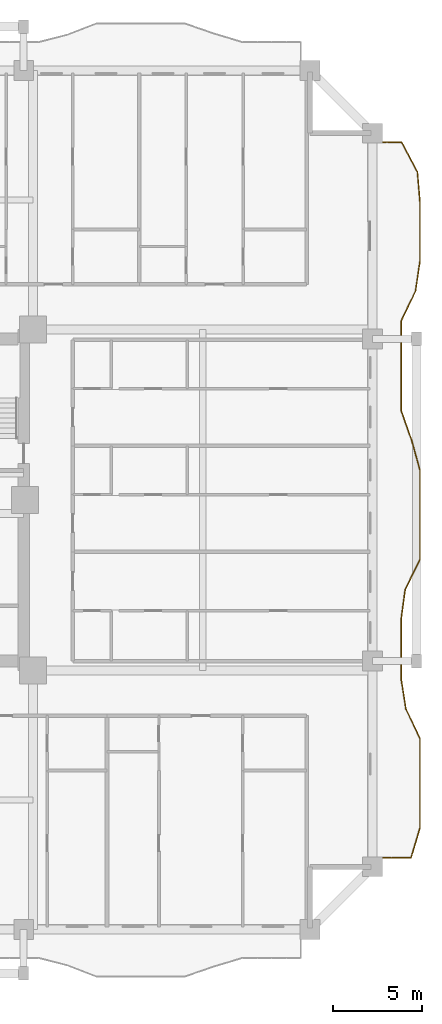
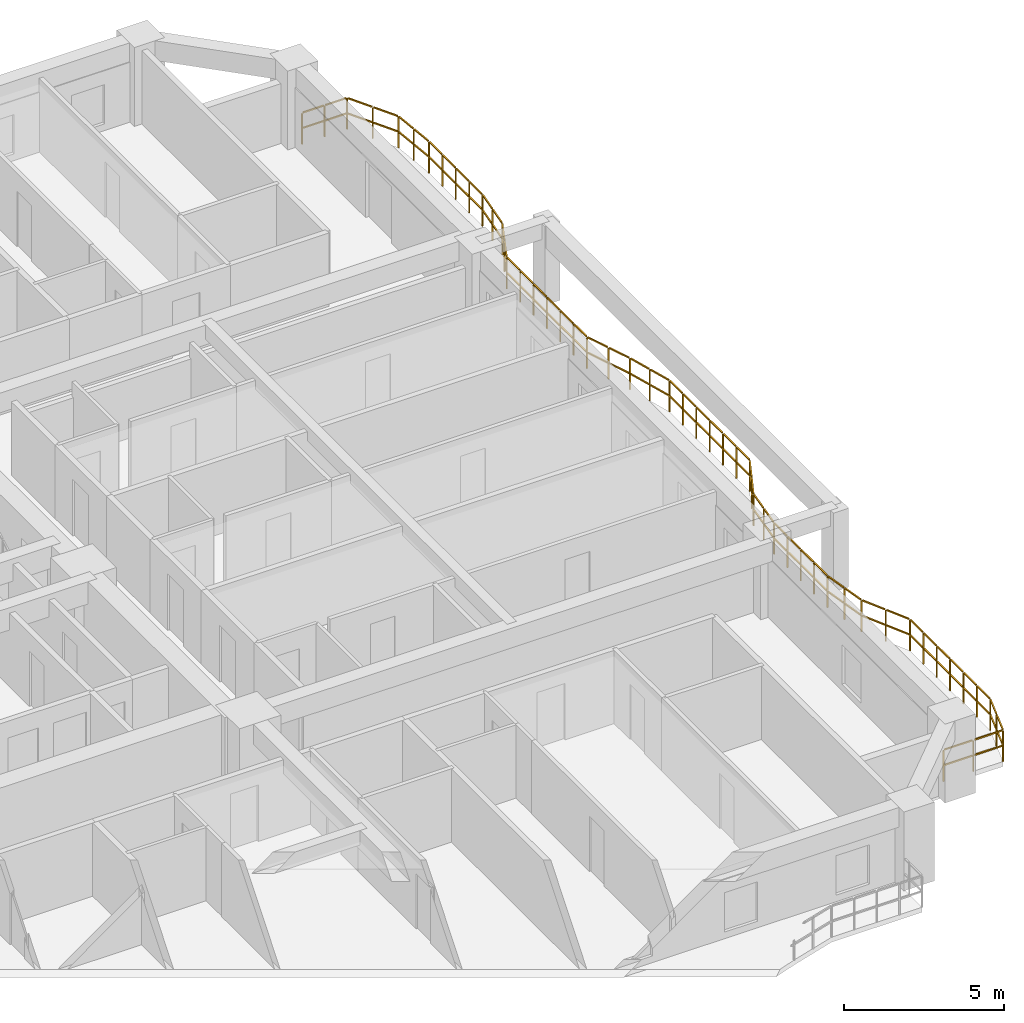
# One storey, part 16 of 18: 1 railing.
"""IFC4 building model written with IfcOpenShell, lengths in metres."""

from ifc_helpers import new_model, si_unit, direction, frame, origin, origin_2d, place, context, subcontext, project, spatial, rectangle, extrude, material, type_object, element, save


model = new_model("IFC4")

# Units and contexts
model_context = context("Model", 3, precision=1e-05, world=origin(), true_north=direction((0.0, 1.0)))
body_context = subcontext(model_context, "Body", "Model", "MODEL_VIEW")
ifc_project = project(units=[si_unit("LENGTHUNIT", "METRE"), si_unit("AREAUNIT", "SQUARE_METRE"), si_unit("VOLUMEUNIT", "CUBIC_METRE"), si_unit("PLANEANGLEUNIT", "RADIAN"), si_unit("MASSUNIT", "GRAM", prefix="KILO")], contexts=[model_context])

# Site, building, storey
site_placement = place(None, origin())
site = spatial("IfcSite", under=ifc_project, at=site_placement, CompositionType="ELEMENT")
building_placement = place(site_placement, origin())
building = spatial("IfcBuilding", under=site, at=building_placement, Name="Saelheon Loggia Tower", CompositionType="ELEMENT")
storey_placement = place(building_placement, frame((0.0, 0.0, 40.39990234375)))
storey = spatial("IfcBuildingStorey", under=building, at=storey_placement, Name="L12", CompositionType="ELEMENT", Elevation=40.39990234375)

# Railing
ifc_material = material(Name="Architectural Precast Concrete and Laminated Glass Guard", Category="concrete")
railing_type = type_object("IfcRailingType", Name="Guard_Loggia_RL_LOG", PredefinedType="BALUSTRADE", material=ifc_material)
railing_placement = place(storey_placement, frame((64.0, 7.0, 0.0)))
element("IfcRailing", 1, at=railing_placement, inside=storey, type_object=railing_type, Name="L12 East Loggia Balustrade", PredefinedType="BALUSTRADE", context=body_context, shape_type="SweptSolid", body=[
    extrude(rectangle(XDim=0.048095703125, YDim=0.048095703125, at=origin_2d()), frame((0.033203125, 0.0, 1.19580078125), z_axis=(1.0, 0.0, 0.0), x_axis=(0.0, 1.0, 0.0)), (0.0, 0.0, 1.0), 1.008544921875),
    extrude(rectangle(XDim=0.048095703125, YDim=0.048095703125, at=origin_2d()), frame((0.033203125, 0.0, 0.60986328125), z_axis=(1.0, 0.0, 0.0), x_axis=(0.0, 1.0, 0.0)), (0.0, 0.0, 1.0), 1.008544921875),
    extrude(rectangle(XDim=0.048095703125, YDim=0.048095703125, at=origin_2d()), frame((1.108154296875, 0.0, 1.19580078125), z_axis=(1.0, 0.0, 0.0), x_axis=(0.0, 1.0, 0.0)), (0.0, 0.0, 1.0), 1.008544921875),
    extrude(rectangle(XDim=0.048095703125, YDim=0.048095703125, at=origin_2d()), frame((1.108154296875, 0.0, 0.60986328125), z_axis=(1.0, 0.0, 0.0), x_axis=(0.0, 1.0, 0.0)), (0.0, 0.0, 1.0), 1.008544921875),
    extrude(rectangle(XDim=0.048095703125, YDim=0.048095703125, at=origin_2d()), frame((2.159423828125, 0.03173828125, 1.19580078125), z_axis=(0.287335013953, 0.957830146611, 0.0), x_axis=(-0.957830146611, 0.287335013953, 0.0)), (0.0, 0.0, 1.0), 0.8037109375),
    extrude(rectangle(XDim=0.048095703125, YDim=0.048095703125, at=origin_2d()), frame((2.159423828125, 0.03173828125, 0.60986328125), z_axis=(0.287335013953, 0.957830146611, 0.0), x_axis=(-0.957830146611, 0.287335013953, 0.0)), (0.0, 0.0, 1.0), 0.8037109375),
    extrude(rectangle(XDim=0.048095703125, YDim=0.048095703125, at=origin_2d()), frame((2.409423828125, 0.865234375, 1.19580078125), z_axis=(0.287335013953, 0.957830146611, 0.0), x_axis=(-0.957830146611, 0.287335013953, 0.0)), (0.0, 0.0, 1.0), 0.8037109375),
    extrude(rectangle(XDim=0.048095703125, YDim=0.048095703125, at=origin_2d()), frame((2.409423828125, 0.865234375, 0.60986328125), z_axis=(0.287335013953, 0.957830146611, 0.0), x_axis=(-0.957830146611, 0.287335013953, 0.0)), (0.0, 0.0, 1.0), 0.8037109375),
    extrude(rectangle(XDim=0.048095703125, YDim=0.048095703125, at=origin_2d()), frame((2.64990234375, 1.699951171875, 1.19580078125), z_axis=(0.0, 1.0, 0.0), x_axis=(-1.0, 0.0, 0.0)), (0.0, 0.0, 1.0), 0.766845703125),
    extrude(rectangle(XDim=0.048095703125, YDim=0.048095703125, at=origin_2d()), frame((2.64990234375, 1.699951171875, 0.60986328125), z_axis=(0.0, 1.0, 0.0), x_axis=(-1.0, 0.0, 0.0)), (0.0, 0.0, 1.0), 0.766845703125),
    extrude(rectangle(XDim=0.048095703125, YDim=0.048095703125, at=origin_2d()), frame((2.64990234375, 2.533203125, 1.19580078125), z_axis=(0.0, 1.0, 0.0), x_axis=(-1.0, 0.0, 0.0)), (0.0, 0.0, 1.0), 0.766845703125),
    extrude(rectangle(XDim=0.048095703125, YDim=0.048095703125, at=origin_2d()), frame((2.64990234375, 2.533203125, 0.60986328125), z_axis=(0.0, 1.0, 0.0), x_axis=(-1.0, 0.0, 0.0)), (0.0, 0.0, 1.0), 0.766845703125),
    extrude(rectangle(XDim=0.048095703125, YDim=0.048095703125, at=origin_2d()), frame((2.64990234375, 3.366455078125, 1.19580078125), z_axis=(0.0, 1.0, 0.0), x_axis=(-1.0, 0.0, 0.0)), (0.0, 0.0, 1.0), 0.766845703125),
    extrude(rectangle(XDim=0.048095703125, YDim=0.048095703125, at=origin_2d()), frame((2.64990234375, 3.366455078125, 0.60986328125), z_axis=(0.0, 1.0, 0.0), x_axis=(-1.0, 0.0, 0.0)), (0.0, 0.0, 1.0), 0.766845703125),
    extrude(rectangle(XDim=0.048095703125, YDim=0.048095703125, at=origin_2d()), frame((2.64990234375, 4.199951171875, 1.19580078125), z_axis=(0.0, 1.0, 0.0), x_axis=(-1.0, 0.0, 0.0)), (0.0, 0.0, 1.0), 0.766845703125),
    extrude(rectangle(XDim=0.048095703125, YDim=0.048095703125, at=origin_2d()), frame((2.64990234375, 4.199951171875, 0.60986328125), z_axis=(0.0, 1.0, 0.0), x_axis=(-1.0, 0.0, 0.0)), (0.0, 0.0, 1.0), 0.766845703125),
    extrude(rectangle(XDim=0.048095703125, YDim=0.048095703125, at=origin_2d()), frame((2.64990234375, 5.033203125, 1.19580078125), z_axis=(0.0, 1.0, 0.0), x_axis=(-1.0, 0.0, 0.0)), (0.0, 0.0, 1.0), 0.766845703125),
    extrude(rectangle(XDim=0.048095703125, YDim=0.048095703125, at=origin_2d()), frame((2.64990234375, 5.033203125, 0.60986328125), z_axis=(0.0, 1.0, 0.0), x_axis=(-1.0, 0.0, 0.0)), (0.0, 0.0, 1.0), 0.766845703125),
    extrude(rectangle(XDim=0.048095703125, YDim=0.048095703125, at=origin_2d()), frame((2.64990234375, 5.86669921875, 1.19580078125), z_axis=(0.0, 1.0, 0.0), x_axis=(-1.0, 0.0, 0.0)), (0.0, 0.0, 1.0), 0.766845703125),
    extrude(rectangle(XDim=0.048095703125, YDim=0.048095703125, at=origin_2d()), frame((2.64990234375, 5.86669921875, 0.60986328125), z_axis=(0.0, 1.0, 0.0), x_axis=(-1.0, 0.0, 0.0)), (0.0, 0.0, 1.0), 0.766845703125),
    extrude(rectangle(XDim=0.048095703125, YDim=0.048095703125, at=origin_2d()), frame((2.6357421875, 6.69677734375, 1.19580078125), z_axis=(-0.427289070921, 0.904115064509, 0.0), x_axis=(-0.904115064509, -0.427289070921, 0.0)), (0.0, 0.0, 1.0), 0.855224609375),
    extrude(rectangle(XDim=0.048095703125, YDim=0.048095703125, at=origin_2d()), frame((2.6357421875, 6.69677734375, 0.60986328125), z_axis=(-0.427289070921, 0.904115064509, 0.0), x_axis=(-0.904115064509, -0.427289070921, 0.0)), (0.0, 0.0, 1.0), 0.855224609375),
    extrude(rectangle(XDim=0.048095703125, YDim=0.048095703125, at=origin_2d()), frame((2.241943359375, 7.530029296875, 1.19580078125), z_axis=(-0.427289070921, 0.904115064509, 0.0), x_axis=(-0.904115064509, -0.427289070921, 0.0)), (0.0, 0.0, 1.0), 0.855224609375),
    extrude(rectangle(XDim=0.048095703125, YDim=0.048095703125, at=origin_2d()), frame((2.241943359375, 7.530029296875, 0.60986328125), z_axis=(-0.427289070921, 0.904115064509, 0.0), x_axis=(-0.904115064509, -0.427289070921, 0.0)), (0.0, 0.0, 1.0), 0.855224609375),
    extrude(rectangle(XDim=0.048095703125, YDim=0.048095703125, at=origin_2d()), frame((1.857177734375, 8.365966796875, 1.19580078125), z_axis=(-0.155405267193, 0.987850799933, 0.0), x_axis=(-0.987850799933, -0.155405267193, 0.0)), (0.0, 0.0, 1.0), 0.777099609375),
    extrude(rectangle(XDim=0.048095703125, YDim=0.048095703125, at=origin_2d()), frame((1.857177734375, 8.365966796875, 0.60986328125), z_axis=(-0.155405267193, 0.987850799933, 0.0), x_axis=(-0.987850799933, -0.155405267193, 0.0)), (0.0, 0.0, 1.0), 0.777099609375),
    extrude(rectangle(XDim=0.048095703125, YDim=0.048095703125, at=origin_2d()), frame((1.72607421875, 9.199462890625, 1.19580078125), z_axis=(-0.155405267193, 0.987850799933, 0.0), x_axis=(-0.987850799933, -0.155405267193, 0.0)), (0.0, 0.0, 1.0), 0.777099609375),
    extrude(rectangle(XDim=0.048095703125, YDim=0.048095703125, at=origin_2d()), frame((1.72607421875, 9.199462890625, 0.60986328125), z_axis=(-0.155405267193, 0.987850799933, 0.0), x_axis=(-0.987850799933, -0.155405267193, 0.0)), (0.0, 0.0, 1.0), 0.777099609375),
    extrude(rectangle(XDim=0.048095703125, YDim=0.048095703125, at=origin_2d()), frame((1.60009765625, 10.033203125, 1.19580078125), z_axis=(0.0, 1.0, 0.0), x_axis=(-1.0, 0.0, 0.0)), (0.0, 0.0, 1.0), 0.766845703125),
    extrude(rectangle(XDim=0.048095703125, YDim=0.048095703125, at=origin_2d()), frame((1.60009765625, 10.033203125, 0.60986328125), z_axis=(0.0, 1.0, 0.0), x_axis=(-1.0, 0.0, 0.0)), (0.0, 0.0, 1.0), 0.766845703125),
    extrude(rectangle(XDim=0.048095703125, YDim=0.048095703125, at=origin_2d()), frame((1.60009765625, 10.86669921875, 1.19580078125), z_axis=(0.0, 1.0, 0.0), x_axis=(-1.0, 0.0, 0.0)), (0.0, 0.0, 1.0), 0.766845703125),
    extrude(rectangle(XDim=0.048095703125, YDim=0.048095703125, at=origin_2d()), frame((1.60009765625, 10.86669921875, 0.60986328125), z_axis=(0.0, 1.0, 0.0), x_axis=(-1.0, 0.0, 0.0)), (0.0, 0.0, 1.0), 0.766845703125),
    extrude(rectangle(XDim=0.048095703125, YDim=0.048095703125, at=origin_2d()), frame((1.60009765625, 11.699951171875, 1.19580078125), z_axis=(0.0, 1.0, 0.0), x_axis=(-1.0, 0.0, 0.0)), (0.0, 0.0, 1.0), 0.766845703125),
    extrude(rectangle(XDim=0.048095703125, YDim=0.048095703125, at=origin_2d()), frame((1.60009765625, 11.699951171875, 0.60986328125), z_axis=(0.0, 1.0, 0.0), x_axis=(-1.0, 0.0, 0.0)), (0.0, 0.0, 1.0), 0.766845703125),
    extrude(rectangle(XDim=0.048095703125, YDim=0.048095703125, at=origin_2d()), frame((1.60009765625, 12.533203125, 1.19580078125), z_axis=(0.0, 1.0, 0.0), x_axis=(-1.0, 0.0, 0.0)), (0.0, 0.0, 1.0), 0.766845703125),
    extrude(rectangle(XDim=0.048095703125, YDim=0.048095703125, at=origin_2d()), frame((1.60009765625, 12.533203125, 0.60986328125), z_axis=(0.0, 1.0, 0.0), x_axis=(-1.0, 0.0, 0.0)), (0.0, 0.0, 1.0), 0.766845703125),
    extrude(rectangle(XDim=0.048095703125, YDim=0.048095703125, at=origin_2d()), frame((1.6044921875, 13.3662109375, 1.19580078125), z_axis=(0.134834696212, 0.99086810661, 0.0), x_axis=(-0.99086810661, 0.134834696212, 0.0)), (0.0, 0.0, 1.0), 0.774658203125),
    extrude(rectangle(XDim=0.048095703125, YDim=0.048095703125, at=origin_2d()), frame((1.6044921875, 13.3662109375, 0.60986328125), z_axis=(0.134834696212, 0.99086810661, 0.0), x_axis=(-0.99086810661, 0.134834696212, 0.0)), (0.0, 0.0, 1.0), 0.774658203125),
    extrude(rectangle(XDim=0.048095703125, YDim=0.048095703125, at=origin_2d()), frame((1.718017578125, 14.199462890625, 1.19580078125), z_axis=(0.134834696212, 0.99086810661, 0.0), x_axis=(-0.99086810661, 0.134834696212, 0.0)), (0.0, 0.0, 1.0), 0.774658203125),
    extrude(rectangle(XDim=0.048095703125, YDim=0.048095703125, at=origin_2d()), frame((1.718017578125, 14.199462890625, 0.60986328125), z_axis=(0.134834696212, 0.99086810661, 0.0), x_axis=(-0.99086810661, 0.134834696212, 0.0)), (0.0, 0.0, 1.0), 0.774658203125),
    extrude(rectangle(XDim=0.048095703125, YDim=0.048095703125, at=origin_2d()), frame((1.841552734375, 15.02978515625, 1.19580078125), z_axis=(0.442742508553, 0.896648800323, 0.0), x_axis=(-0.896648800323, 0.442742508553, 0.0)), (0.0, 0.0, 1.0), 0.863037109375),
    extrude(rectangle(XDim=0.048095703125, YDim=0.048095703125, at=origin_2d()), frame((1.841552734375, 15.02978515625, 0.60986328125), z_axis=(0.442742508553, 0.896648800323, 0.0), x_axis=(-0.896648800323, 0.442742508553, 0.0)), (0.0, 0.0, 1.0), 0.863037109375),
    extrude(rectangle(XDim=0.048095703125, YDim=0.048095703125, at=origin_2d()), frame((2.253173828125, 15.86328125, 1.19580078125), z_axis=(0.442742508553, 0.896648800323, 0.0), x_axis=(-0.896648800323, 0.442742508553, 0.0)), (0.0, 0.0, 1.0), 0.863037109375),
    extrude(rectangle(XDim=0.048095703125, YDim=0.048095703125, at=origin_2d()), frame((2.253173828125, 15.86328125, 0.60986328125), z_axis=(0.442742508553, 0.896648800323, 0.0), x_axis=(-0.896648800323, 0.442742508553, 0.0)), (0.0, 0.0, 1.0), 0.863037109375),
    extrude(rectangle(XDim=0.048095703125, YDim=0.048095703125, at=origin_2d()), frame((2.64990234375, 16.699951171875, 1.19580078125), z_axis=(0.0, 1.0, 0.0), x_axis=(-1.0, 0.0, 0.0)), (0.0, 0.0, 1.0), 0.766845703125),
    extrude(rectangle(XDim=0.048095703125, YDim=0.048095703125, at=origin_2d()), frame((2.64990234375, 16.699951171875, 0.60986328125), z_axis=(0.0, 1.0, 0.0), x_axis=(-1.0, 0.0, 0.0)), (0.0, 0.0, 1.0), 0.766845703125),
    extrude(rectangle(XDim=0.048095703125, YDim=0.048095703125, at=origin_2d()), frame((2.64990234375, 17.533203125, 1.19580078125), z_axis=(0.0, 1.0, 0.0), x_axis=(-1.0, 0.0, 0.0)), (0.0, 0.0, 1.0), 0.766845703125),
    extrude(rectangle(XDim=0.048095703125, YDim=0.048095703125, at=origin_2d()), frame((2.64990234375, 17.533203125, 0.60986328125), z_axis=(0.0, 1.0, 0.0), x_axis=(-1.0, 0.0, 0.0)), (0.0, 0.0, 1.0), 0.766845703125),
    extrude(rectangle(XDim=0.048095703125, YDim=0.048095703125, at=origin_2d()), frame((2.64990234375, 18.366455078125, 1.19580078125), z_axis=(0.0, 1.0, 0.0), x_axis=(-1.0, 0.0, 0.0)), (0.0, 0.0, 1.0), 0.766845703125),
    extrude(rectangle(XDim=0.048095703125, YDim=0.048095703125, at=origin_2d()), frame((2.64990234375, 18.366455078125, 0.60986328125), z_axis=(0.0, 1.0, 0.0), x_axis=(-1.0, 0.0, 0.0)), (0.0, 0.0, 1.0), 0.766845703125),
    extrude(rectangle(XDim=0.048095703125, YDim=0.048095703125, at=origin_2d()), frame((2.64990234375, 19.199951171875, 1.19580078125), z_axis=(0.0, 1.0, 0.0), x_axis=(-1.0, 0.0, 0.0)), (0.0, 0.0, 1.0), 0.766845703125),
    extrude(rectangle(XDim=0.048095703125, YDim=0.048095703125, at=origin_2d()), frame((2.64990234375, 19.199951171875, 0.60986328125), z_axis=(0.0, 1.0, 0.0), x_axis=(-1.0, 0.0, 0.0)), (0.0, 0.0, 1.0), 0.766845703125),
    extrude(rectangle(XDim=0.048095703125, YDim=0.048095703125, at=origin_2d()), frame((2.64990234375, 20.033203125, 1.19580078125), z_axis=(0.0, 1.0, 0.0), x_axis=(-1.0, 0.0, 0.0)), (0.0, 0.0, 1.0), 0.766845703125),
    extrude(rectangle(XDim=0.048095703125, YDim=0.048095703125, at=origin_2d()), frame((2.64990234375, 20.033203125, 0.60986328125), z_axis=(0.0, 1.0, 0.0), x_axis=(-1.0, 0.0, 0.0)), (0.0, 0.0, 1.0), 0.766845703125),
    extrude(rectangle(XDim=0.048095703125, YDim=0.048095703125, at=origin_2d()), frame((2.64990234375, 20.86669921875, 1.19580078125), z_axis=(0.0, 1.0, 0.0), x_axis=(-1.0, 0.0, 0.0)), (0.0, 0.0, 1.0), 0.766845703125),
    extrude(rectangle(XDim=0.048095703125, YDim=0.048095703125, at=origin_2d()), frame((2.64990234375, 20.86669921875, 0.60986328125), z_axis=(0.0, 1.0, 0.0), x_axis=(-1.0, 0.0, 0.0)), (0.0, 0.0, 1.0), 0.766845703125),
    extrude(rectangle(XDim=0.048095703125, YDim=0.048095703125, at=origin_2d()), frame((2.64111328125, 21.69873046875, 1.19580078125), z_axis=(-0.268022369816, 0.963412688975, 0.0), x_axis=(-0.963412688975, -0.268022369816, 0.0)), (0.0, 0.0, 1.0), 0.79833984375),
    extrude(rectangle(XDim=0.048095703125, YDim=0.048095703125, at=origin_2d()), frame((2.64111328125, 21.69873046875, 0.60986328125), z_axis=(-0.268022369816, 0.963412688975, 0.0), x_axis=(-0.963412688975, -0.268022369816, 0.0)), (0.0, 0.0, 1.0), 0.79833984375),
    extrude(rectangle(XDim=0.048095703125, YDim=0.048095703125, at=origin_2d()), frame((2.4091796875, 22.531982421875, 1.19580078125), z_axis=(-0.268022369816, 0.963412688975, 0.0), x_axis=(-0.963412688975, -0.268022369816, 0.0)), (0.0, 0.0, 1.0), 0.79833984375),
    extrude(rectangle(XDim=0.048095703125, YDim=0.048095703125, at=origin_2d()), frame((2.4091796875, 22.531982421875, 0.60986328125), z_axis=(-0.268022369816, 0.963412688975, 0.0), x_axis=(-0.963412688975, -0.268022369816, 0.0)), (0.0, 0.0, 1.0), 0.79833984375),
    extrude(rectangle(XDim=0.048095703125, YDim=0.048095703125, at=origin_2d()), frame((2.17529296875, 23.364501953125, 1.19580078125), z_axis=(-0.331771864705, 0.943359650287, 0.0), x_axis=(-0.943359650287, -0.331771864705, 0.0)), (0.0, 0.0, 1.0), 0.81689453125),
    extrude(rectangle(XDim=0.048095703125, YDim=0.048095703125, at=origin_2d()), frame((2.17529296875, 23.364501953125, 0.60986328125), z_axis=(-0.331771864705, 0.943359650287, 0.0), x_axis=(-0.943359650287, -0.331771864705, 0.0)), (0.0, 0.0, 1.0), 0.81689453125),
    extrude(rectangle(XDim=0.048095703125, YDim=0.048095703125, at=origin_2d()), frame((1.882080078125, 24.197998046875, 1.19580078125), z_axis=(-0.331771864705, 0.943359650287, 0.0), x_axis=(-0.943359650287, -0.331771864705, 0.0)), (0.0, 0.0, 1.0), 0.81689453125),
    extrude(rectangle(XDim=0.048095703125, YDim=0.048095703125, at=origin_2d()), frame((1.882080078125, 24.197998046875, 0.60986328125), z_axis=(-0.331771864705, 0.943359650287, 0.0), x_axis=(-0.943359650287, -0.331771864705, 0.0)), (0.0, 0.0, 1.0), 0.81689453125),
    extrude(rectangle(XDim=0.048095703125, YDim=0.048095703125, at=origin_2d()), frame((1.60009765625, 25.033203125, 1.19580078125), z_axis=(0.0, 1.0, 0.0), x_axis=(-1.0, 0.0, 0.0)), (0.0, 0.0, 1.0), 0.766845703125),
    extrude(rectangle(XDim=0.048095703125, YDim=0.048095703125, at=origin_2d()), frame((1.60009765625, 25.033203125, 0.60986328125), z_axis=(0.0, 1.0, 0.0), x_axis=(-1.0, 0.0, 0.0)), (0.0, 0.0, 1.0), 0.766845703125),
    extrude(rectangle(XDim=0.048095703125, YDim=0.048095703125, at=origin_2d()), frame((1.60009765625, 25.86669921875, 1.19580078125), z_axis=(0.0, 1.0, 0.0), x_axis=(-1.0, 0.0, 0.0)), (0.0, 0.0, 1.0), 0.766845703125),
    extrude(rectangle(XDim=0.048095703125, YDim=0.048095703125, at=origin_2d()), frame((1.60009765625, 25.86669921875, 0.60986328125), z_axis=(0.0, 1.0, 0.0), x_axis=(-1.0, 0.0, 0.0)), (0.0, 0.0, 1.0), 0.766845703125),
    extrude(rectangle(XDim=0.048095703125, YDim=0.048095703125, at=origin_2d()), frame((1.60009765625, 26.699951171875, 1.19580078125), z_axis=(0.0, 1.0, 0.0), x_axis=(-1.0, 0.0, 0.0)), (0.0, 0.0, 1.0), 0.766845703125),
    extrude(rectangle(XDim=0.048095703125, YDim=0.048095703125, at=origin_2d()), frame((1.60009765625, 26.699951171875, 0.60986328125), z_axis=(0.0, 1.0, 0.0), x_axis=(-1.0, 0.0, 0.0)), (0.0, 0.0, 1.0), 0.766845703125),
    extrude(rectangle(XDim=0.048095703125, YDim=0.048095703125, at=origin_2d()), frame((1.60009765625, 27.533203125, 1.19580078125), z_axis=(0.0, 1.0, 0.0), x_axis=(-1.0, 0.0, 0.0)), (0.0, 0.0, 1.0), 0.766845703125),
    extrude(rectangle(XDim=0.048095703125, YDim=0.048095703125, at=origin_2d()), frame((1.60009765625, 27.533203125, 0.60986328125), z_axis=(0.0, 1.0, 0.0), x_axis=(-1.0, 0.0, 0.0)), (0.0, 0.0, 1.0), 0.766845703125),
    extrude(rectangle(XDim=0.048095703125, YDim=0.048095703125, at=origin_2d()), frame((1.60009765625, 28.366455078125, 1.19580078125), z_axis=(0.0, 1.0, 0.0), x_axis=(-1.0, 0.0, 0.0)), (0.0, 0.0, 1.0), 0.766845703125),
    extrude(rectangle(XDim=0.048095703125, YDim=0.048095703125, at=origin_2d()), frame((1.60009765625, 28.366455078125, 0.60986328125), z_axis=(0.0, 1.0, 0.0), x_axis=(-1.0, 0.0, 0.0)), (0.0, 0.0, 1.0), 0.766845703125),
    extrude(rectangle(XDim=0.048095703125, YDim=0.048095703125, at=origin_2d()), frame((1.60009765625, 29.199951171875, 1.19580078125), z_axis=(0.0, 1.0, 0.0), x_axis=(-1.0, 0.0, 0.0)), (0.0, 0.0, 1.0), 0.766845703125),
    extrude(rectangle(XDim=0.048095703125, YDim=0.048095703125, at=origin_2d()), frame((1.60009765625, 29.199951171875, 0.60986328125), z_axis=(0.0, 1.0, 0.0), x_axis=(-1.0, 0.0, 0.0)), (0.0, 0.0, 1.0), 0.766845703125),
    extrude(rectangle(XDim=0.048095703125, YDim=0.048095703125, at=origin_2d()), frame((1.614501953125, 30.030029296875, 1.19580078125), z_axis=(0.433700533123, 0.901057072315, 0.0), x_axis=(-0.901057072315, 0.433700533123, 0.0)), (0.0, 0.0, 1.0), 0.8583984375),
    extrude(rectangle(XDim=0.048095703125, YDim=0.048095703125, at=origin_2d()), frame((1.614501953125, 30.030029296875, 0.60986328125), z_axis=(0.433700533123, 0.901057072315, 0.0), x_axis=(-0.901057072315, 0.433700533123, 0.0)), (0.0, 0.0, 1.0), 0.8583984375),
    extrude(rectangle(XDim=0.048095703125, YDim=0.048095703125, at=origin_2d()), frame((2.015625, 30.86328125, 1.19580078125), z_axis=(0.433700533123, 0.901057072315, 0.0), x_axis=(-0.901057072315, 0.433700533123, 0.0)), (0.0, 0.0, 1.0), 0.8583984375),
    extrude(rectangle(XDim=0.048095703125, YDim=0.048095703125, at=origin_2d()), frame((2.015625, 30.86328125, 0.60986328125), z_axis=(0.433700533123, 0.901057072315, 0.0), x_axis=(-0.901057072315, 0.433700533123, 0.0)), (0.0, 0.0, 1.0), 0.8583984375),
    extrude(rectangle(XDim=0.048095703125, YDim=0.048095703125, at=origin_2d()), frame((2.4072265625, 31.69970703125, 1.19580078125), z_axis=(0.146937277025, 0.989145811607, 0.0), x_axis=(-0.989145811607, 0.146937277025, 0.0)), (0.0, 0.0, 1.0), 0.77587890625),
    extrude(rectangle(XDim=0.048095703125, YDim=0.048095703125, at=origin_2d()), frame((2.4072265625, 31.69970703125, 0.60986328125), z_axis=(0.146937277025, 0.989145811607, 0.0), x_axis=(-0.989145811607, 0.146937277025, 0.0)), (0.0, 0.0, 1.0), 0.77587890625),
    extrude(rectangle(XDim=0.048095703125, YDim=0.048095703125, at=origin_2d()), frame((2.531005859375, 32.532958984375, 1.19580078125), z_axis=(0.146937277025, 0.989145811607, 0.0), x_axis=(-0.989145811607, 0.146937277025, 0.0)), (0.0, 0.0, 1.0), 0.77587890625),
    extrude(rectangle(XDim=0.048095703125, YDim=0.048095703125, at=origin_2d()), frame((2.531005859375, 32.532958984375, 0.60986328125), z_axis=(0.146937277025, 0.989145811607, 0.0), x_axis=(-0.989145811607, 0.146937277025, 0.0)), (0.0, 0.0, 1.0), 0.77587890625),
    extrude(rectangle(XDim=0.048095703125, YDim=0.048095703125, at=origin_2d()), frame((2.64990234375, 33.366455078125, 1.19580078125), z_axis=(0.0, 1.0, 0.0), x_axis=(-1.0, 0.0, 0.0)), (0.0, 0.0, 1.0), 0.766845703125),
    extrude(rectangle(XDim=0.048095703125, YDim=0.048095703125, at=origin_2d()), frame((2.64990234375, 33.366455078125, 0.60986328125), z_axis=(0.0, 1.0, 0.0), x_axis=(-1.0, 0.0, 0.0)), (0.0, 0.0, 1.0), 0.766845703125),
    extrude(rectangle(XDim=0.048095703125, YDim=0.048095703125, at=origin_2d()), frame((2.64990234375, 34.199951171875, 1.19580078125), z_axis=(0.0, 1.0, 0.0), x_axis=(-1.0, 0.0, 0.0)), (0.0, 0.0, 1.0), 0.766845703125),
    extrude(rectangle(XDim=0.048095703125, YDim=0.048095703125, at=origin_2d()), frame((2.64990234375, 34.199951171875, 0.60986328125), z_axis=(0.0, 1.0, 0.0), x_axis=(-1.0, 0.0, 0.0)), (0.0, 0.0, 1.0), 0.766845703125),
    extrude(rectangle(XDim=0.048095703125, YDim=0.048095703125, at=origin_2d()), frame((2.64990234375, 35.033203125, 1.19580078125), z_axis=(0.0, 1.0, 0.0), x_axis=(-1.0, 0.0, 0.0)), (0.0, 0.0, 1.0), 0.766845703125),
    extrude(rectangle(XDim=0.048095703125, YDim=0.048095703125, at=origin_2d()), frame((2.64990234375, 35.033203125, 0.60986328125), z_axis=(0.0, 1.0, 0.0), x_axis=(-1.0, 0.0, 0.0)), (0.0, 0.0, 1.0), 0.766845703125),
    extrude(rectangle(XDim=0.048095703125, YDim=0.048095703125, at=origin_2d()), frame((2.64990234375, 35.86669921875, 1.19580078125), z_axis=(0.0, 1.0, 0.0), x_axis=(-1.0, 0.0, 0.0)), (0.0, 0.0, 1.0), 0.766845703125),
    extrude(rectangle(XDim=0.048095703125, YDim=0.048095703125, at=origin_2d()), frame((2.64990234375, 35.86669921875, 0.60986328125), z_axis=(0.0, 1.0, 0.0), x_axis=(-1.0, 0.0, 0.0)), (0.0, 0.0, 1.0), 0.766845703125),
    extrude(rectangle(XDim=0.048095703125, YDim=0.048095703125, at=origin_2d()), frame((2.64697265625, 36.699951171875, 1.19580078125), z_axis=(-0.084664157025, 0.996409544573, 0.0), x_axis=(-0.996409544573, -0.084664157025, 0.0)), (0.0, 0.0, 1.0), 0.769775390625),
    extrude(rectangle(XDim=0.048095703125, YDim=0.048095703125, at=origin_2d()), frame((2.64697265625, 36.699951171875, 0.60986328125), z_axis=(-0.084664157025, 0.996409544573, 0.0), x_axis=(-0.996409544573, -0.084664157025, 0.0)), (0.0, 0.0, 1.0), 0.769775390625),
    extrude(rectangle(XDim=0.048095703125, YDim=0.048095703125, at=origin_2d()), frame((2.576171875, 37.533203125, 1.19580078125), z_axis=(-0.084664157025, 0.996409544573, 0.0), x_axis=(-0.996409544573, -0.084664157025, 0.0)), (0.0, 0.0, 1.0), 0.769775390625),
    extrude(rectangle(XDim=0.048095703125, YDim=0.048095703125, at=origin_2d()), frame((2.576171875, 37.533203125, 0.60986328125), z_axis=(-0.084664157025, 0.996409544573, 0.0), x_axis=(-0.996409544573, -0.084664157025, 0.0)), (0.0, 0.0, 1.0), 0.769775390625),
    extrude(rectangle(XDim=0.048095703125, YDim=0.048095703125, at=origin_2d()), frame((2.49267578125, 38.362548828125, 1.19580078125), z_axis=(-0.469977451422, 0.882678421145, 0.0), x_axis=(-0.882678421145, -0.469977451422, 0.0)), (0.0, 0.0, 1.0), 0.877685546875),
    extrude(rectangle(XDim=0.048095703125, YDim=0.048095703125, at=origin_2d()), frame((2.49267578125, 38.362548828125, 0.60986328125), z_axis=(-0.469977451422, 0.882678421145, 0.0), x_axis=(-0.882678421145, -0.469977451422, 0.0)), (0.0, 0.0, 1.0), 0.877685546875),
    extrude(rectangle(XDim=0.048095703125, YDim=0.048095703125, at=origin_2d()), frame((2.049072265625, 39.196044921875, 1.19580078125), z_axis=(-0.469977451422, 0.882678421145, 0.0), x_axis=(-0.882678421145, -0.469977451422, 0.0)), (0.0, 0.0, 1.0), 0.877685546875),
    extrude(rectangle(XDim=0.048095703125, YDim=0.048095703125, at=origin_2d()), frame((2.049072265625, 39.196044921875, 0.60986328125), z_axis=(-0.469977451422, 0.882678421145, 0.0), x_axis=(-0.882678421145, -0.469977451422, 0.0)), (0.0, 0.0, 1.0), 0.877685546875),
    extrude(rectangle(XDim=0.048095703125, YDim=0.048095703125, at=origin_2d()), frame((1.587646484375, 40.0, 1.19580078125), z_axis=(-1.0, 0.0, 0.0), x_axis=(0.0, -1.0, 0.0)), (0.0, 0.0, 1.0), 0.743896484375),
    extrude(rectangle(XDim=0.048095703125, YDim=0.048095703125, at=origin_2d()), frame((1.587646484375, 40.0, 0.60986328125), z_axis=(-1.0, 0.0, 0.0), x_axis=(0.0, -1.0, 0.0)), (0.0, 0.0, 1.0), 0.743896484375),
    extrude(rectangle(XDim=0.048095703125, YDim=0.048095703125, at=origin_2d()), frame((0.777099609375, 40.0, 1.19580078125), z_axis=(-1.0, 0.0, 0.0), x_axis=(0.0, -1.0, 0.0)), (0.0, 0.0, 1.0), 0.743896484375),
    extrude(rectangle(XDim=0.048095703125, YDim=0.048095703125, at=origin_2d()), frame((0.777099609375, 40.0, 0.60986328125), z_axis=(-1.0, 0.0, 0.0), x_axis=(0.0, -1.0, 0.0)), (0.0, 0.0, 1.0), 0.743896484375),
    extrude(rectangle(XDim=0.0419921875, YDim=0.0419921875, at=origin_2d()), origin(), (0.0, 0.0, 1.0), 1.16796875),
    extrude(rectangle(XDim=0.0419921875, YDim=0.0419921875, at=origin_2d()), frame((1.074951171875, 0.0, 0.0)), (0.0, 0.0, 1.0), 1.16796875),
    extrude(rectangle(XDim=0.0419921875, YDim=0.0419921875, at=origin_2d()), frame((2.14990234375, 0.0, 0.0)), (0.0, 0.0, 1.0), 1.16796875),
    extrude(rectangle(XDim=0.0419921875, YDim=0.0419921875, at=origin_2d()), frame((2.39990234375, 0.83349609375, 0.0)), (0.0, 0.0, 1.0), 1.16796875),
    extrude(rectangle(XDim=0.0419921875, YDim=0.0419921875, at=origin_2d()), frame((2.64990234375, 1.666748046875, 0.0)), (0.0, 0.0, 1.0), 1.16796875),
    extrude(rectangle(XDim=0.0419921875, YDim=0.0419921875, at=origin_2d()), frame((2.64990234375, 2.5, 0.0)), (0.0, 0.0, 1.0), 1.16796875),
    extrude(rectangle(XDim=0.0419921875, YDim=0.0419921875, at=origin_2d()), frame((2.64990234375, 3.333251953125, 0.0)), (0.0, 0.0, 1.0), 1.16796875),
    extrude(rectangle(XDim=0.0419921875, YDim=0.0419921875, at=origin_2d()), frame((2.64990234375, 4.16650390625, 0.0)), (0.0, 0.0, 1.0), 1.16796875),
    extrude(rectangle(XDim=0.0419921875, YDim=0.0419921875, at=origin_2d()), frame((2.64990234375, 5.0, 0.0)), (0.0, 0.0, 1.0), 1.16796875),
    extrude(rectangle(XDim=0.0419921875, YDim=0.0419921875, at=origin_2d()), frame((2.64990234375, 5.83349609375, 0.0)), (0.0, 0.0, 1.0), 1.16796875),
    extrude(rectangle(XDim=0.0419921875, YDim=0.0419921875, at=origin_2d()), frame((2.64990234375, 6.666748046875, 0.0)), (0.0, 0.0, 1.0), 1.16796875),
    extrude(rectangle(XDim=0.0419921875, YDim=0.0419921875, at=origin_2d()), frame((2.256103515625, 7.5, 0.0)), (0.0, 0.0, 1.0), 1.16796875),
    extrude(rectangle(XDim=0.0419921875, YDim=0.0419921875, at=origin_2d()), frame((1.8623046875, 8.333251953125, 0.0)), (0.0, 0.0, 1.0), 1.16796875),
    extrude(rectangle(XDim=0.0419921875, YDim=0.0419921875, at=origin_2d()), frame((1.731201171875, 9.16650390625, 0.0)), (0.0, 0.0, 1.0), 1.16796875),
    extrude(rectangle(XDim=0.0419921875, YDim=0.0419921875, at=origin_2d()), frame((1.60009765625, 10.0, 0.0)), (0.0, 0.0, 1.0), 1.16796875),
    extrude(rectangle(XDim=0.0419921875, YDim=0.0419921875, at=origin_2d()), frame((1.60009765625, 10.83349609375, 0.0)), (0.0, 0.0, 1.0), 1.16796875),
    extrude(rectangle(XDim=0.0419921875, YDim=0.0419921875, at=origin_2d()), frame((1.60009765625, 11.666748046875, 0.0)), (0.0, 0.0, 1.0), 1.16796875),
    extrude(rectangle(XDim=0.0419921875, YDim=0.0419921875, at=origin_2d()), frame((1.60009765625, 12.5, 0.0)), (0.0, 0.0, 1.0), 1.16796875),
    extrude(rectangle(XDim=0.0419921875, YDim=0.0419921875, at=origin_2d()), frame((1.60009765625, 13.333251953125, 0.0)), (0.0, 0.0, 1.0), 1.16796875),
    extrude(rectangle(XDim=0.0419921875, YDim=0.0419921875, at=origin_2d()), frame((1.71337890625, 14.16650390625, 0.0)), (0.0, 0.0, 1.0), 1.16796875),
    extrude(rectangle(XDim=0.0419921875, YDim=0.0419921875, at=origin_2d()), frame((1.826904296875, 15.0, 0.0)), (0.0, 0.0, 1.0), 1.16796875),
    extrude(rectangle(XDim=0.0419921875, YDim=0.0419921875, at=origin_2d()), frame((2.23828125, 15.83349609375, 0.0)), (0.0, 0.0, 1.0), 1.16796875),
    extrude(rectangle(XDim=0.0419921875, YDim=0.0419921875, at=origin_2d()), frame((2.64990234375, 16.666748046875, 0.0)), (0.0, 0.0, 1.0), 1.16796875),
    extrude(rectangle(XDim=0.0419921875, YDim=0.0419921875, at=origin_2d()), frame((2.64990234375, 17.5, 0.0)), (0.0, 0.0, 1.0), 1.16796875),
    extrude(rectangle(XDim=0.0419921875, YDim=0.0419921875, at=origin_2d()), frame((2.64990234375, 18.333251953125, 0.0)), (0.0, 0.0, 1.0), 1.16796875),
    extrude(rectangle(XDim=0.0419921875, YDim=0.0419921875, at=origin_2d()), frame((2.64990234375, 19.16650390625, 0.0)), (0.0, 0.0, 1.0), 1.16796875),
    extrude(rectangle(XDim=0.0419921875, YDim=0.0419921875, at=origin_2d()), frame((2.64990234375, 20.0, 0.0)), (0.0, 0.0, 1.0), 1.16796875),
    extrude(rectangle(XDim=0.0419921875, YDim=0.0419921875, at=origin_2d()), frame((2.64990234375, 20.83349609375, 0.0)), (0.0, 0.0, 1.0), 1.16796875),
    extrude(rectangle(XDim=0.0419921875, YDim=0.0419921875, at=origin_2d()), frame((2.64990234375, 21.666748046875, 0.0)), (0.0, 0.0, 1.0), 1.16796875),
    extrude(rectangle(XDim=0.0419921875, YDim=0.0419921875, at=origin_2d()), frame((2.41796875, 22.5, 0.0)), (0.0, 0.0, 1.0), 1.16796875),
    extrude(rectangle(XDim=0.0419921875, YDim=0.0419921875, at=origin_2d()), frame((2.186279296875, 23.333251953125, 0.0)), (0.0, 0.0, 1.0), 1.16796875),
    extrude(rectangle(XDim=0.0419921875, YDim=0.0419921875, at=origin_2d()), frame((1.89306640625, 24.16650390625, 0.0)), (0.0, 0.0, 1.0), 1.16796875),
    extrude(rectangle(XDim=0.0419921875, YDim=0.0419921875, at=origin_2d()), frame((1.60009765625, 25.0, 0.0)), (0.0, 0.0, 1.0), 1.16796875),
    extrude(rectangle(XDim=0.0419921875, YDim=0.0419921875, at=origin_2d()), frame((1.60009765625, 25.83349609375, 0.0)), (0.0, 0.0, 1.0), 1.16796875),
    extrude(rectangle(XDim=0.0419921875, YDim=0.0419921875, at=origin_2d()), frame((1.60009765625, 26.666748046875, 0.0)), (0.0, 0.0, 1.0), 1.16796875),
    extrude(rectangle(XDim=0.0419921875, YDim=0.0419921875, at=origin_2d()), frame((1.60009765625, 27.5, 0.0)), (0.0, 0.0, 1.0), 1.16796875),
    extrude(rectangle(XDim=0.0419921875, YDim=0.0419921875, at=origin_2d()), frame((1.60009765625, 28.333251953125, 0.0)), (0.0, 0.0, 1.0), 1.16796875),
    extrude(rectangle(XDim=0.0419921875, YDim=0.0419921875, at=origin_2d()), frame((1.60009765625, 29.16650390625, 0.0)), (0.0, 0.0, 1.0), 1.16796875),
    extrude(rectangle(XDim=0.0419921875, YDim=0.0419921875, at=origin_2d()), frame((1.60009765625, 30.0, 0.0)), (0.0, 0.0, 1.0), 1.16796875),
    extrude(rectangle(XDim=0.0419921875, YDim=0.0419921875, at=origin_2d()), frame((2.001220703125, 30.83349609375, 0.0)), (0.0, 0.0, 1.0), 1.16796875),
    extrude(rectangle(XDim=0.0419921875, YDim=0.0419921875, at=origin_2d()), frame((2.40234375, 31.666748046875, 0.0)), (0.0, 0.0, 1.0), 1.16796875),
    extrude(rectangle(XDim=0.0419921875, YDim=0.0419921875, at=origin_2d()), frame((2.526123046875, 32.5, 0.0)), (0.0, 0.0, 1.0), 1.16796875),
    extrude(rectangle(XDim=0.0419921875, YDim=0.0419921875, at=origin_2d()), frame((2.64990234375, 33.333251953125, 0.0)), (0.0, 0.0, 1.0), 1.16796875),
    extrude(rectangle(XDim=0.0419921875, YDim=0.0419921875, at=origin_2d()), frame((2.64990234375, 34.16650390625, 0.0)), (0.0, 0.0, 1.0), 1.16796875),
    extrude(rectangle(XDim=0.0419921875, YDim=0.0419921875, at=origin_2d()), frame((2.64990234375, 35.0, 0.0)), (0.0, 0.0, 1.0), 1.16796875),
    extrude(rectangle(XDim=0.0419921875, YDim=0.0419921875, at=origin_2d()), frame((2.64990234375, 35.83349609375, 0.0)), (0.0, 0.0, 1.0), 1.16796875),
    extrude(rectangle(XDim=0.0419921875, YDim=0.0419921875, at=origin_2d()), frame((2.64990234375, 36.666748046875, 0.0)), (0.0, 0.0, 1.0), 1.16796875),
    extrude(rectangle(XDim=0.0419921875, YDim=0.0419921875, at=origin_2d()), frame((2.5791015625, 37.5, 0.0)), (0.0, 0.0, 1.0), 1.16796875),
    extrude(rectangle(XDim=0.0419921875, YDim=0.0419921875, at=origin_2d()), frame((2.50830078125, 38.333251953125, 0.0)), (0.0, 0.0, 1.0), 1.16796875),
    extrude(rectangle(XDim=0.0419921875, YDim=0.0419921875, at=origin_2d()), frame((2.064453125, 39.16650390625, 0.0)), (0.0, 0.0, 1.0), 1.16796875),
    extrude(rectangle(XDim=0.0419921875, YDim=0.0419921875, at=origin_2d()), frame((1.620849609375, 40.0, 0.0)), (0.0, 0.0, 1.0), 1.16796875),
    extrude(rectangle(XDim=0.0419921875, YDim=0.0419921875, at=origin_2d()), frame((0.810546875, 40.0, 0.0)), (0.0, 0.0, 1.0), 1.16796875),
    extrude(rectangle(XDim=0.0419921875, YDim=0.0419921875, at=origin_2d()), frame((0.0, 40.0, 0.0)), (0.0, 0.0, 1.0), 1.16796875),
])

save(model, "model.ifc")
